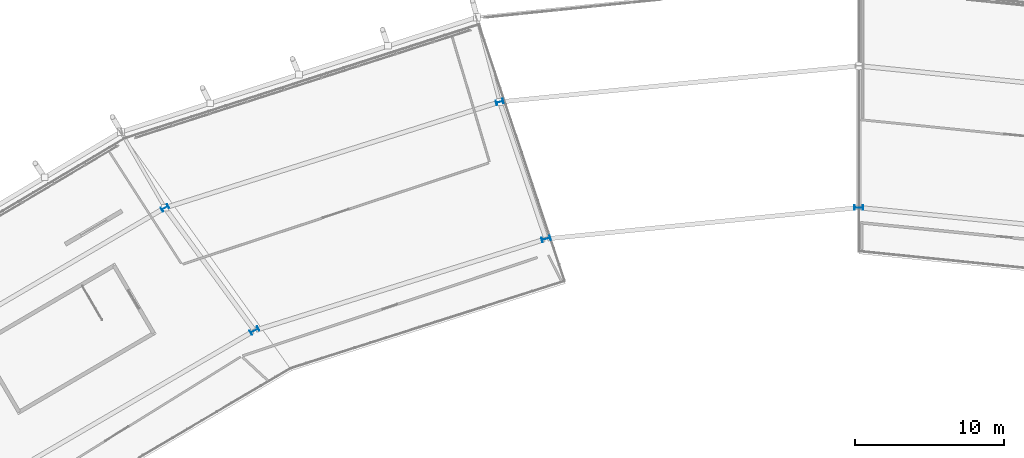
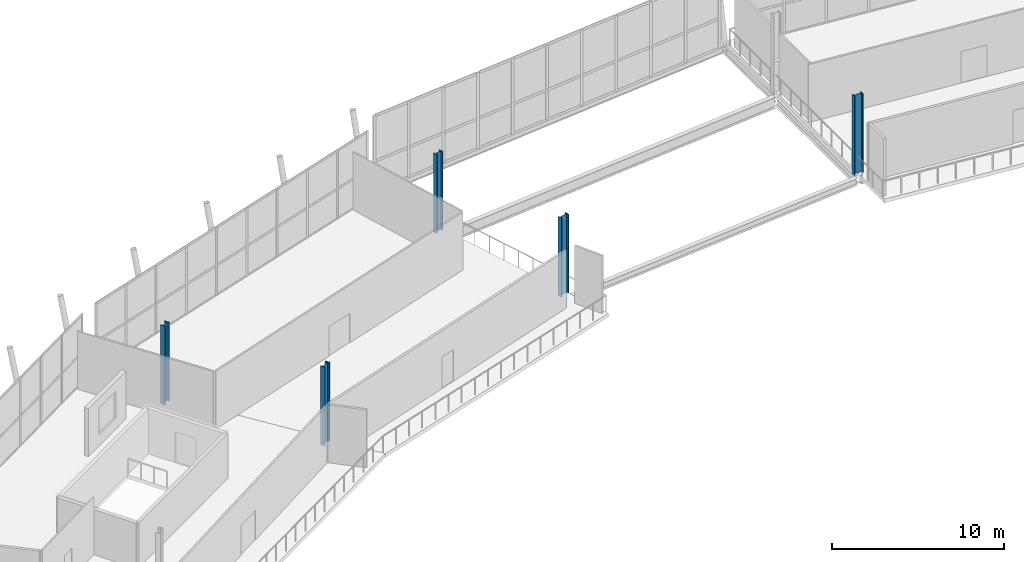
# One storey, part 10 of 99: 5 columns.
"""IFC4 building model written with IfcOpenShell, lengths in metres."""

from ifc_helpers import new_model, si_unit, direction, frame, origin, origin_2d, place, context, subcontext, project, spatial, i_section, extrude, material, material_profile, profile_set, type_object, element, save


model = new_model("IFC4")

# Units and contexts
model_context = context("Model", 3, precision=1e-05, world=origin(), true_north=direction((0.0, 1.0)))
body_context = subcontext(model_context, "Body", "Model", "MODEL_VIEW")
ifc_project = project(units=[si_unit("LENGTHUNIT", "METRE"), si_unit("AREAUNIT", "SQUARE_METRE"), si_unit("VOLUMEUNIT", "CUBIC_METRE"), si_unit("PLANEANGLEUNIT", "RADIAN"), si_unit("MASSUNIT", "GRAM", prefix="KILO")], contexts=[model_context])

# Site, building, storey
site_placement = place(None, origin())
site = spatial("IfcSite", under=ifc_project, at=site_placement, CompositionType="ELEMENT")
building_placement = place(site_placement, origin())
building = spatial("IfcBuilding", under=site, at=building_placement, Name="Zlatoyarsky Gate Stadium", CompositionType="ELEMENT")
storey_placement = place(building_placement, frame((0.0, 0.0, 26.199951171875)))
storey = spatial("IfcBuildingStorey", under=building, at=storey_placement, Name="L05", CompositionType="ELEMENT", Elevation=26.199951171875)

# Columns
ifc_material = material(Name="Steel S355", Category="steel")
ifc_material_profile_1 = material_profile(ifc_material, i_section(OverallWidth=0.300048828125, OverallDepth=0.5, WebThickness=0.014404296875, FlangeThickness=0.028076171875, FilletRadius=0.027099609375, at=origin_2d()), Name="HEB 500")
ifc_profile_set_1 = profile_set([ifc_material_profile_1], Name="Steel S355")
column_type_1 = type_object("IfcColumnType", Name="STEEL COLUMN HEB 500", PredefinedType="COLUMN", material=ifc_profile_set_1)
for number, where, z_axis, x_axis, name in (
    (1, (86.9296875, 148.580810546875, 0.0), (0.0, 0.0, 1.0), (-0.258819045103, 0.965925826289, 0.0), "Column ST-C500 RC-07 on L05"),
    (2, (64.5, 141.48779296875, 0.0), (0.0, 0.0, 1.0), (-0.5, 0.866025403784, 0.0), "Column ST-C500 RC-08 on L05"),
):
    element("IfcColumn", number, at=place(storey_placement, frame(where, z_axis=z_axis, x_axis=x_axis)), inside=storey, type_object=column_type_1, Name=name, PredefinedType="COLUMN", context=body_context, shape_type="SweptSolid", body=[
        extrude(i_section(OverallWidth=0.300048828125, OverallDepth=0.5, WebThickness=0.014404296875, FlangeThickness=0.028076171875, FilletRadius=0.027099609375, at=origin_2d()), origin(), (0.0, 0.0, 1.0), 5.60009765625),
    ])
ifc_material_profile_2 = material_profile(ifc_material, i_section(OverallWidth=0.300048828125, OverallDepth=0.60009765625, WebThickness=0.015380859375, FlangeThickness=0.030029296875, FilletRadius=0.027099609375, at=origin_2d()), Name="HEB 600")
ifc_profile_set_2 = profile_set([ifc_material_profile_2], Name="Steel S355")
column_type_2 = type_object("IfcColumnType", Name="STEEL COLUMN HEB 600", PredefinedType="COLUMN", material=ifc_profile_set_2)
for number, where, z_axis, x_axis, name in (
    (3, (111.0, 141.5, 0.0), (0.0, 0.0, 1.0), (0.0, 1.0, 0.0), "Column ST-C600 RB-06 on L05"),
    (4, (90.03564453125, 139.404296875, 0.0), (0.0, 0.0, 1.0), (-0.258819045103, 0.965925826289, 0.0), "Column ST-C600 RB-07 on L05"),
    (5, (70.5, 133.260498046875, 0.0), (0.0, 0.0, 1.0), (-0.5, 0.866025403784, 0.0), "Column ST-C600 RB-08 on L05"),
):
    element("IfcColumn", number, at=place(storey_placement, frame(where, z_axis=z_axis, x_axis=x_axis)), inside=storey, type_object=column_type_2, Name=name, PredefinedType="COLUMN", context=body_context, shape_type="SweptSolid", body=[
        extrude(i_section(OverallWidth=0.300048828125, OverallDepth=0.60009765625, WebThickness=0.015380859375, FlangeThickness=0.030029296875, FilletRadius=0.027099609375, at=origin_2d()), origin(), (0.0, 0.0, 1.0), 5.60009765625),
    ])

save(model, "model.ifc")
